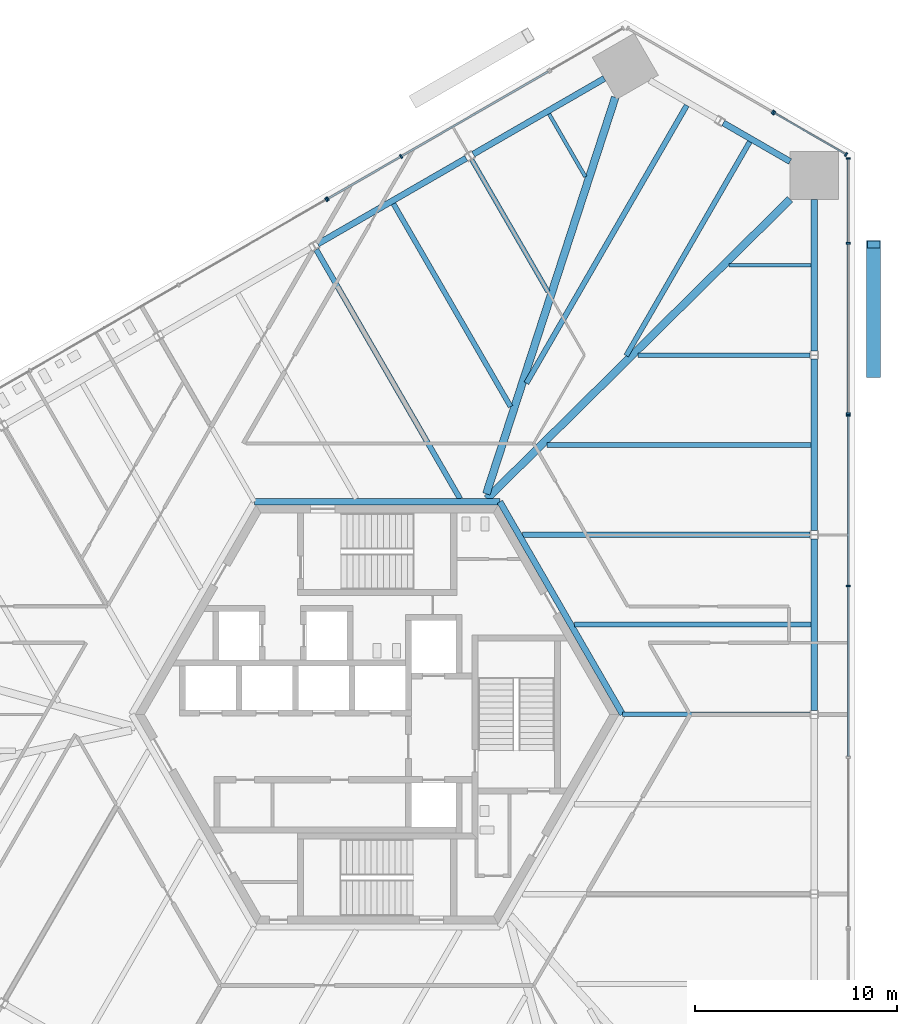
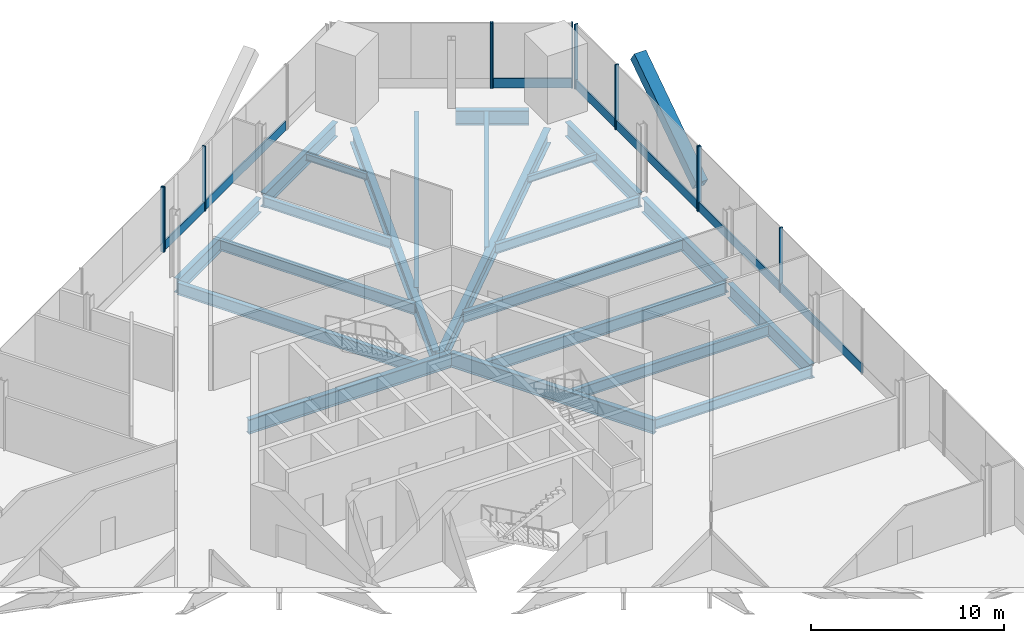
# One storey, part 7 of 17: 22 beams, 19 members, 6 elements without a shape of their own.
"""IFC4 building model written with IfcOpenShell, lengths in metres."""

import ifcopenshell
import ifcopenshell.guid

model = None  # the IFC model being written
_history = None  # IfcOwnerHistory: only IFC2X3 demands one
_inside = {}  # id of a spatial element -> (the spatial element, [elements in it])
_under = {}  # id of a project, library or spatial element -> (it, [spatial elements below it])
_declared = {}  # id of a project -> (the project, [libraries it declares])
_typed = {}  # id of a type object -> (the type object, [elements of that type])
_made_of = {}  # id of a material, layer set ... -> (it, [elements and type objects made of it])


def new_model(schema):
    """Start an empty IFC model of exactly this schema.

    Asked for "IFC4X3", IfcOpenShell would pick the latest addendum, in which some entities
    have other attributes; the version numbers below select the first issue.
    IFC2X3 requires an IfcOwnerHistory on every rooted entity: one is made here for all.
    """
    global model, _history
    if schema == "IFC4X3":
        model = ifcopenshell.file(schema_version=(4, 3, 0, 0))
    else:
        model = ifcopenshell.file(schema=schema)
    _inside.clear()
    _under.clear()
    _declared.clear()
    _typed.clear()
    _made_of.clear()
    _history = None
    if model.schema == "IFC2X3":
        org = make("IfcOrganization", Name="unknown")
        user = make(
            "IfcPersonAndOrganization",
            ThePerson=make("IfcPerson", FamilyName="unknown"),
            TheOrganization=org,
        )
        app = make(
            "IfcApplication",
            ApplicationDeveloper=org,
            Version="unknown",
            ApplicationFullName="unknown",
            ApplicationIdentifier="unknown",
        )
        _history = make(
            "IfcOwnerHistory",
            OwningUser=user,
            OwningApplication=app,
            ChangeAction="ADDED",
            CreationDate=0,
        )
    return model


def make(cls, **values):
    """One entity of the class cls with the attributes given. An attribute that is None is left unset."""
    return model.create_entity(
        cls, **{name: value for name, value in values.items() if value is not None}
    )


def rooted(cls, **values):
    """An entity with a GlobalId (a new one), such as an element, a storey or a relation."""
    return make(cls, GlobalId=ifcopenshell.guid.new(), OwnerHistory=_history, **values)


def si_unit(unit_type, name, prefix=None):
    """IfcSIUnit, for example si_unit("LENGTHUNIT", "METRE", prefix="MILLI")."""
    return make("IfcSIUnit", UnitType=unit_type, Prefix=prefix, Name=name)


def assignment(units):
    """IfcUnitAssignment: the units of a project."""
    return None if units is None else make("IfcUnitAssignment", Units=units)


def point(xyz):
    """IfcCartesianPoint."""
    return None if xyz is None else make("IfcCartesianPoint", Coordinates=xyz)


def direction(xyz):
    """IfcDirection."""
    return None if xyz is None else make("IfcDirection", DirectionRatios=xyz)


def frame(location, z_axis=None, x_axis=None):
    """IfcAxis2Placement3D, a coordinate frame: its origin and axes. An axis left out is left unset."""
    return make(
        "IfcAxis2Placement3D",
        Location=point(location),
        Axis=direction(z_axis),
        RefDirection=direction(x_axis),
    )


def frame_2d(location, x_axis=None):
    """IfcAxis2Placement2D, a coordinate frame in the plane: its origin and x axis."""
    return make(
        "IfcAxis2Placement2D", Location=point(location), RefDirection=direction(x_axis)
    )


def origin():
    """The frame at (0, 0, 0) with its axes left unset."""
    return frame((0.0, 0.0, 0.0))


def origin_2d():
    """The frame at (0, 0) in the plane with its x axis left unset."""
    return frame_2d((0.0, 0.0))


def place(relative_to, where):
    """IfcLocalPlacement: puts the frame where relative to a parent placement (None: the world)."""
    return make(
        "IfcLocalPlacement", PlacementRelTo=relative_to, RelativePlacement=where
    )


def context(
    kind, dimensions, precision=None, world=None, true_north=None, identifier=None
):
    """IfcGeometricRepresentationContext, for example the 3D "Model" context."""
    return make(
        "IfcGeometricRepresentationContext",
        ContextIdentifier=identifier,
        ContextType=kind,
        CoordinateSpaceDimension=dimensions,
        Precision=precision,
        WorldCoordinateSystem=world,
        TrueNorth=true_north,
    )


def subcontext(parent, identifier, kind, view, scale=None):
    """IfcGeometricRepresentationSubContext, for example "Body" below "Model"."""
    return make(
        "IfcGeometricRepresentationSubContext",
        ContextIdentifier=identifier,
        ContextType=kind,
        ParentContext=parent,
        TargetScale=scale,
        TargetView=view,
    )


def project(units=None, contexts=None):
    """IfcProject with its units and contexts."""
    return rooted(
        "IfcProject",
        Name="project",
        RepresentationContexts=contexts,
        UnitsInContext=assignment(units),
    )


def spatial(cls, under=None, at=None, **own):
    """A site, building, storey or space (cls), placed at a placement, below another one or the project."""
    s = rooted(cls, ObjectPlacement=at, **own)
    if under is not None:
        _under.setdefault(under.id(), (under, []))[1].append(s)
    return s


def profile(cls, at=None, kind="AREA", **sizes):
    """A parametric profile (cls). Its sizes go by their IFC names, for example OverallWidth=200.0."""
    return make(cls, ProfileType=kind, Position=at, **sizes)


def rectangle(**sizes):
    """IfcRectangleProfileDef."""
    return profile("IfcRectangleProfileDef", **sizes)


def hollow_rectangle(**sizes):
    """IfcRectangleHollowProfileDef."""
    return profile("IfcRectangleHollowProfileDef", **sizes)


def i_section(**sizes):
    """IfcIShapeProfileDef."""
    return profile("IfcIShapeProfileDef", **sizes)


def extrude(swept, where, along, depth):
    """IfcExtrudedAreaSolid: the profile swept, set in the frame where, extruded along a direction by depth."""
    return make(
        "IfcExtrudedAreaSolid",
        SweptArea=swept,
        Position=where,
        ExtrudedDirection=direction(along),
        Depth=depth,
    )


def shape(context_of_items, identifier, shape_type, items):
    """IfcShapeRepresentation: the items that make up one representation, for example the "Body"."""
    return make(
        "IfcShapeRepresentation",
        ContextOfItems=context_of_items,
        RepresentationIdentifier=identifier,
        RepresentationType=shape_type,
        Items=items,
    )


def source(mapping_origin, context_of_items, identifier, shape_type, items):
    """IfcRepresentationMap: a shape defined once, which mapped items show again and again."""
    return make(
        "IfcRepresentationMap",
        MappingOrigin=mapping_origin,
        MappedRepresentation=shape(context_of_items, identifier, shape_type, items),
    )


def transform(
    local_origin,
    x_axis=None,
    y_axis=None,
    z_axis=None,
    scale=None,
    scale2=None,
    scale3=None,
    uniform=True,
):
    """IfcCartesianTransformationOperator3D, or its non-uniform kind. x_axis, y_axis, z_axis: its Axis1, 2, 3."""
    if uniform:
        return make(
            "IfcCartesianTransformationOperator3D",
            Axis1=direction(x_axis),
            Axis2=direction(y_axis),
            LocalOrigin=point(local_origin),
            Scale=scale,
            Axis3=direction(z_axis),
        )
    return make(
        "IfcCartesianTransformationOperator3DnonUniform",
        Axis1=direction(x_axis),
        Axis2=direction(y_axis),
        LocalOrigin=point(local_origin),
        Scale=scale,
        Axis3=direction(z_axis),
        Scale2=scale2,
        Scale3=scale3,
    )


def mapped(mapping_source, mapping_target):
    """IfcMappedItem: shows the shape of a source again, moved by a transform."""
    return make(
        "IfcMappedItem", MappingSource=mapping_source, MappingTarget=mapping_target
    )


def material(Name=None, Category=None):
    """IfcMaterial."""
    return make("IfcMaterial", Name=Name, Category=Category)


def material_profile(
    of_material, cross_section, Name=None, Category=None, Priority=None
):
    """IfcMaterialProfile: a cross section and its material."""
    return make(
        "IfcMaterialProfile",
        Name=Name,
        Material=of_material,
        Profile=cross_section,
        Priority=Priority,
        Category=Category,
    )


def profile_set(profiles, Name=None, composite=None):
    """IfcMaterialProfileSet."""
    return make(
        "IfcMaterialProfileSet",
        Name=Name,
        MaterialProfiles=profiles,
        CompositeProfile=composite,
    )


def made_of(thing, what):
    """Note that an element or type object is made of a material, layer set ...; save() writes the relation."""
    if what is not None:
        _made_of.setdefault(what.id(), (what, []))[1].append(thing)
    return thing


def type_object(cls, material=None, **own):
    """A type object (cls), such as IfcWallType, which elements share."""
    return made_of(rooted(cls, **own), material)


def element(
    cls,
    number,
    at=None,
    inside=None,
    cuts=None,
    type_object=None,
    material=None,
    context=None,
    identifier="Body",
    shape_type=None,
    held_by="IfcProductDefinitionShape",
    body=None,
    shapes=None,
    **own,
):
    """One element of the class cls, such as IfcWall. Its Tag is "e" and its number.

    at: its placement. inside: the storey or other place that contains it. cuts: it is an
    opening in that element (IfcRelVoidsElement). A single representation is given by context,
    identifier, shape_type and body (its items); several are given by shapes. held_by: the class
    of the entity that holds the representations. save() writes the other relations.
    """
    e = rooted(cls, Tag="e%d" % number, ObjectPlacement=at, **own)
    if body is not None:
        shapes = [shape(context, identifier, shape_type, body)]
    if shapes is not None:
        e.Representation = make(held_by, Representations=shapes)
    if inside is not None:
        _inside.setdefault(inside.id(), (inside, []))[1].append(e)
    if cuts is not None:
        rooted(
            "IfcRelVoidsElement", RelatingBuildingElement=cuts, RelatedOpeningElement=e
        )
    if type_object is not None:
        _typed.setdefault(type_object.id(), (type_object, []))[1].append(e)
    return made_of(e, material)


def aggregate(whole, parts):
    """IfcRelAggregates: a whole, such as a stair, and the parts it consists of."""
    return rooted("IfcRelAggregates", RelatingObject=whole, RelatedObjects=parts)


def save(model, path):
    """Write the relations noted so far, then the file.

    IfcRelAggregates (storeys below a building ...), IfcRelContainedInSpatialStructure (elements
    in a storey), IfcRelDefinesByType, IfcRelAssociatesMaterial and IfcRelDeclares: one each for
    every whole, place, type object, material and project.
    """
    for whole, parts in _under.values():
        aggregate(whole, parts)
    for where, things in _inside.values():
        rooted(
            "IfcRelContainedInSpatialStructure",
            RelatedElements=things,
            RelatingStructure=where,
        )
    for kind, things in _typed.values():
        rooted("IfcRelDefinesByType", RelatedObjects=things, RelatingType=kind)
    for what, things in _made_of.values():
        rooted("IfcRelAssociatesMaterial", RelatedObjects=things, RelatingMaterial=what)
    for by, libraries in _declared.values():
        rooted("IfcRelDeclares", RelatingContext=by, RelatedDefinitions=libraries)
    model.write(path)


model = new_model("IFC4")

# Units and contexts
model_context = context("Model", 3, precision=1e-05, world=origin(), true_north=direction((0.0, 1.0)))
body_context = subcontext(model_context, "Body", "Model", "MODEL_VIEW")
ifc_project = project(units=[si_unit("LENGTHUNIT", "METRE"), si_unit("AREAUNIT", "SQUARE_METRE"), si_unit("VOLUMEUNIT", "CUBIC_METRE"), si_unit("PLANEANGLEUNIT", "RADIAN"), si_unit("MASSUNIT", "GRAM", prefix="KILO")], contexts=[model_context])

# Site, building, storey
site_placement = place(None, origin())
site = spatial("IfcSite", under=ifc_project, at=site_placement, CompositionType="ELEMENT")
building_placement = place(site_placement, origin())
building = spatial("IfcBuilding", under=site, at=building_placement, Name="Triune Harvest Tower", CompositionType="ELEMENT")
storey_placement = place(building_placement, frame((0.0, 0.0, 46.10009765625)))
storey = spatial("IfcBuildingStorey", under=building, at=storey_placement, Name="L10", CompositionType="ELEMENT", Elevation=46.10009765625)

# Beams
ifc_material_1 = material(Name="Steel ASTM A992 Gr 50", Category="steel")
ifc_material_profile_1 = material_profile(ifc_material_1, i_section(OverallWidth=0.3046875, OverallDepth=0.914306640625, WebThickness=0.0166015625, FlangeThickness=0.02587890625, at=origin_2d()), Name="W36x160")
ifc_profile_set_1 = profile_set([ifc_material_profile_1], Name="Steel ASTM A992 Gr 50")
beam_type_1 = type_object("IfcBeamType", Name="CG-1 Core ring girder W36x160", PredefinedType="BEAM", material=ifc_profile_set_1)
shared_shape_1 = source(origin(), body_context, "Body", "SweptSolid", [
    extrude(i_section(OverallWidth=0.3046875, OverallDepth=0.914306640625, WebThickness=0.0166015625, FlangeThickness=0.02587890625, at=origin_2d()), origin(), (0.0, 0.0, 1.0), 12.176025390625),
])
beam_1_placement = place(storey_placement, frame((12.176025390625, 0.0, -0.6572265625), z_axis=(-0.5000099932, 0.866019634131, 0.0), x_axis=(-0.866019634131, -0.5000099932, 0.0)))
element("IfcBeam", 1, at=beam_1_placement, inside=storey, type_object=beam_type_1, Name="beam/L10/CG1", PredefinedType="BEAM", context=body_context, shape_type="MappedRepresentation", body=[
    mapped(shared_shape_1, transform((0.0, 0.0, 0.0), scale=1.0)),
])
shared_shape_2 = source(origin(), body_context, "Body", "SweptSolid", [
    extrude(i_section(OverallWidth=0.3046875, OverallDepth=0.914306640625, WebThickness=0.0166015625, FlangeThickness=0.02587890625, at=origin_2d()), origin(), (0.0, 0.0, 1.0), 12.17578125),
])
beam_2_placement = place(storey_placement, frame((6.087890625, 10.544677734375, -0.6572265625), z_axis=(-1.0, 0.0, 0.0), x_axis=(0.0, -1.0, 0.0)))
element("IfcBeam", 2, at=beam_2_placement, inside=storey, type_object=beam_type_1, Name="beam/L10/CG2", PredefinedType="BEAM", context=body_context, shape_type="MappedRepresentation", body=[
    mapped(shared_shape_2, transform((0.0, 0.0, 0.0), scale=1.0)),
])
ifc_material_2 = material(Name="Steel ASTM A992 Gr 50", Category="steel")
ifc_material_profile_2 = material_profile(ifc_material_2, i_section(OverallWidth=0.383544921875, OverallDepth=0.9423828125, WebThickness=0.022216796875, FlangeThickness=0.039794921875, at=origin_2d()), Name="W36x232")
ifc_profile_set_2 = profile_set([ifc_material_profile_2], Name="Steel ASTM A992 Gr 50")
beam_type_2 = type_object("IfcBeamType", Name="HG-1 Hip girder W36x232", PredefinedType="BEAM", material=ifc_profile_set_2)
shared_shape_3 = source(origin(), body_context, "Body", "SweptSolid", [
    extrude(i_section(OverallWidth=0.383544921875, OverallDepth=0.9423828125, WebThickness=0.022216796875, FlangeThickness=0.039794921875, at=origin_2d()), origin(), (0.0, 0.0, 1.0), 21.132568359375),
])
beam_3_placement = place(storey_placement, frame((20.4794921875, 25.545166015625, -0.67138671875), z_axis=(-0.711563602244, -0.7026216905, 0.0), x_axis=(0.7026216905, -0.711563602244, 0.0)))
element("IfcBeam", 3, at=beam_3_placement, inside=storey, type_object=beam_type_2, Name="beam/L10/HG2", PredefinedType="BEAM", context=body_context, shape_type="MappedRepresentation", body=[
    mapped(shared_shape_3, transform((0.0, 0.0, 0.0), scale=1.0)),
])
shared_shape_4 = source(origin(), body_context, "Body", "SweptSolid", [
    extrude(i_section(OverallWidth=0.383544921875, OverallDepth=0.9423828125, WebThickness=0.022216796875, FlangeThickness=0.039794921875, at=origin_2d()), origin(), (0.0, 0.0, 1.0), 20.676025390625),
])
beam_4_placement = place(storey_placement, frame((11.809814453125, 30.6044921875, -0.67138671875), z_axis=(-0.309191000288, -0.950999960747, 0.0), x_axis=(0.950999960747, -0.309191000288, 0.0)))
element("IfcBeam", 4, at=beam_4_placement, inside=storey, type_object=beam_type_2, Name="beam/L10/HG3", PredefinedType="BEAM", context=body_context, shape_type="MappedRepresentation", body=[
    mapped(shared_shape_4, transform((0.0, 0.0, 0.0), scale=1.0)),
])
ifc_material_3 = material(Name="Steel ASTM A992 Gr 50", Category="steel")
ifc_material_profile_3 = material_profile(ifc_material_3, i_section(OverallWidth=0.2666015625, OverallDepth=0.7568359375, WebThickness=0.013916015625, FlangeThickness=0.019287109375, at=origin_2d()), Name="W30x108")
ifc_profile_set_3 = profile_set([ifc_material_profile_3], Name="Steel ASTM A992 Gr 50")
beam_type_3 = type_object("IfcBeamType", Name="JT-5 Floor joist W30x108", PredefinedType="JOIST", material=ifc_profile_set_3)
shared_shape_5 = source(origin(), body_context, "Body", "SweptSolid", [
    extrude(i_section(OverallWidth=0.2666015625, OverallDepth=0.7568359375, WebThickness=0.013916015625, FlangeThickness=0.019287109375, at=origin_2d()), origin(), (0.0, 0.0, 1.0), 14.2685546875),
])
for number, where, z_axis, x_axis, name in (
    (5, (21.476318359375, 8.909912109375, -0.57861328125), (-1.0, 0.0, 0.0), (0.0, -1.0, 0.0), "beam/L10/JT8"),
    (6, (-3.02197265625, 23.053955078125, -0.57861328125), (0.499999916269, -0.866025452127, 0.0), (0.866025452127, 0.499999916269, 0.0), "beam/L10/JT17"),
):
    element("IfcBeam", number, at=place(storey_placement, frame(where, z_axis=z_axis, x_axis=x_axis)), inside=storey, type_object=beam_type_3, Name=name, PredefinedType="JOIST", context=body_context, shape_type="MappedRepresentation", body=[
        mapped(shared_shape_5, transform((0.0, 0.0, 0.0), scale=1.0)),
    ])
ifc_material_4 = material(Name="Steel ASTM A992 Gr 50", Category="steel")
ifc_material_profile_4 = material_profile(ifc_material_4, i_section(OverallWidth=0.22900390625, OverallDepth=0.612060546875, WebThickness=0.011962890625, FlangeThickness=0.01953125, at=origin_2d()), Name="W24x84")
ifc_profile_set_4 = profile_set([ifc_material_profile_4], Name="Steel ASTM A992 Gr 50")
beam_type_4 = type_object("IfcBeamType", Name="JT-3 Floor joist W24x84", PredefinedType="JOIST", material=ifc_profile_set_4)
shared_shape_6 = source(origin(), body_context, "Body", "SweptSolid", [
    extrude(i_section(OverallWidth=0.22900390625, OverallDepth=0.612060546875, WebThickness=0.011962890625, FlangeThickness=0.01953125, at=origin_2d()), origin(), (0.0, 0.0, 1.0), 9.30029296875),
])
beam_5_placement = place(storey_placement, frame((21.476318359375, 0.0, -0.506103515625), z_axis=(-1.0, 0.0, 0.0), x_axis=(0.0, -1.0, 0.0)))
element("IfcBeam", 7, at=beam_5_placement, inside=storey, type_object=beam_type_4, Name="beam/L10/JT6", PredefinedType="JOIST", context=body_context, shape_type="MappedRepresentation", body=[
    mapped(shared_shape_6, transform((0.0, 0.0, 0.0), scale=1.0)),
])
shared_shape_7 = source(origin(), body_context, "Body", "SweptSolid", [
    extrude(i_section(OverallWidth=0.22900390625, OverallDepth=0.612060546875, WebThickness=0.011962890625, FlangeThickness=0.01953125, at=origin_2d()), origin(), (0.0, 0.0, 1.0), 8.54736328125),
])
beam_6_placement = place(storey_placement, frame((21.476318359375, 17.820068359375, -0.506103515625), z_axis=(-1.0, 0.0, 0.0), x_axis=(0.0, -1.0, 0.0)))
element("IfcBeam", 8, at=beam_6_placement, inside=storey, type_object=beam_type_4, Name="beam/L10/JT10", PredefinedType="JOIST", context=body_context, shape_type="MappedRepresentation", body=[
    mapped(shared_shape_7, transform((0.0, 0.0, 0.0), scale=1.0)),
])
shared_shape_8 = source(origin(), body_context, "Body", "SweptSolid", [
    extrude(i_section(OverallWidth=0.22900390625, OverallDepth=0.612060546875, WebThickness=0.011962890625, FlangeThickness=0.01953125, at=origin_2d()), origin(), (0.0, 0.0, 1.0), 7.55859375),
])
beam_7_placement = place(storey_placement, frame((4.6943359375, 27.509033203125, -0.506103515625), z_axis=(0.500002049001, -0.86602422079, 0.0), x_axis=(0.86602422079, 0.500002049001, 0.0)))
element("IfcBeam", 9, at=beam_7_placement, inside=storey, type_object=beam_type_4, Name="beam/L10/JT15", PredefinedType="JOIST", context=body_context, shape_type="MappedRepresentation", body=[
    mapped(shared_shape_8, transform((0.0, 0.0, 0.0), scale=1.0)),
])
ifc_material_5 = material(Name="Steel ASTM A992 Gr 50", Category="steel")
ifc_material_profile_5 = material_profile(ifc_material_5, i_section(OverallWidth=0.3046875, OverallDepth=0.914306640625, WebThickness=0.0166015625, FlangeThickness=0.02587890625, at=origin_2d()), Name="W36x160")
ifc_profile_set_5 = profile_set([ifc_material_profile_5], Name="Steel ASTM A992 Gr 50")
beam_type_5 = type_object("IfcBeamType", Name="SB-1 Spandrel beam W36x160", PredefinedType="SPANDREL", material=ifc_profile_set_5)
shared_shape_9 = source(origin(), body_context, "Body", "SweptSolid", [
    extrude(i_section(OverallWidth=0.3046875, OverallDepth=0.914306640625, WebThickness=0.0166015625, FlangeThickness=0.02587890625, at=origin_2d()), origin(), (0.0, 0.0, 1.0), 7.508056640625),
])
beam_8_placement = place(storey_placement, frame((21.679443359375, 18.02197265625, -0.6572265625), z_axis=(0.0, 1.0, 0.0), x_axis=(-1.0, 0.0, 0.0)))
element("IfcBeam", 10, at=beam_8_placement, inside=storey, type_object=beam_type_5, Name="beam/L10/SB6", PredefinedType="SPANDREL", context=body_context, shape_type="MappedRepresentation", body=[
    mapped(shared_shape_9, transform((0.0, 0.0, 0.0), scale=1.0)),
])
shared_shape_10 = source(origin(), body_context, "Body", "SweptSolid", [
    extrude(i_section(OverallWidth=0.3046875, OverallDepth=0.914306640625, WebThickness=0.0166015625, FlangeThickness=0.02587890625, at=origin_2d()), origin(), (0.0, 0.0, 1.0), 8.50634765625),
])
beam_9_placement = place(storey_placement, frame((21.679443359375, 9.11181640625, -0.6572265625), z_axis=(0.0, 1.0, 0.0), x_axis=(-1.0, 0.0, 0.0)))
element("IfcBeam", 11, at=beam_9_placement, inside=storey, type_object=beam_type_5, Name="beam/L10/SB5", PredefinedType="SPANDREL", context=body_context, shape_type="MappedRepresentation", body=[
    mapped(shared_shape_10, transform((0.0, 0.0, 0.0), scale=1.0)),
])
shared_shape_11 = source(origin(), body_context, "Body", "SweptSolid", [
    extrude(i_section(OverallWidth=0.3046875, OverallDepth=0.914306640625, WebThickness=0.0166015625, FlangeThickness=0.02587890625, at=origin_2d()), origin(), (0.0, 0.0, 1.0), 8.506103515625),
])
for number, where, z_axis, x_axis, name in (
    (12, (21.679443359375, 0.201904296875, -0.6572265625), (0.0, 1.0, 0.0), (-1.0, 0.0, 0.0), "beam/L10/SB4"),
    (13, (4.41796875, 27.583984375, -0.6572265625), (-0.866030246746, -0.49999161165, 0.0), (0.49999161165, -0.866030246746, 0.0), "beam/L10/SB10"),
):
    element("IfcBeam", number, at=place(storey_placement, frame(where, z_axis=z_axis, x_axis=x_axis)), inside=storey, type_object=beam_type_5, Name=name, PredefinedType="SPANDREL", context=body_context, shape_type="MappedRepresentation", body=[
        mapped(shared_shape_11, transform((0.0, 0.0, 0.0), scale=1.0)),
    ])
shared_shape_12 = source(origin(), body_context, "Body", "SweptSolid", [
    extrude(i_section(OverallWidth=0.3046875, OverallDepth=0.914306640625, WebThickness=0.0166015625, FlangeThickness=0.02587890625, at=origin_2d()), origin(), (0.0, 0.0, 1.0), 3.822265625),
])
beam_10_placement = place(storey_placement, frame((20.4794921875, 27.4228515625, -0.6572265625), z_axis=(-0.866033487859, 0.499985997711, 0.0), x_axis=(-0.499985997711, -0.866033487859, 0.0)))
element("IfcBeam", 14, at=beam_10_placement, inside=storey, type_object=beam_type_5, Name="beam/L10/SB7", PredefinedType="SPANDREL", context=body_context, shape_type="MappedRepresentation", body=[
    mapped(shared_shape_12, transform((0.0, 0.0, 0.0), scale=1.0)),
])
shared_shape_13 = source(origin(), body_context, "Body", "SweptSolid", [
    extrude(i_section(OverallWidth=0.3046875, OverallDepth=0.914306640625, WebThickness=0.0166015625, FlangeThickness=0.02587890625, at=origin_2d()), origin(), (0.0, 0.0, 1.0), 7.50830078125),
])
beam_11_placement = place(storey_placement, frame((11.27001953125, 31.5400390625, -0.6572265625), z_axis=(-0.866027474485, -0.499996413425, 0.0), x_axis=(0.499996413425, -0.866027474485, 0.0)))
element("IfcBeam", 15, at=beam_11_placement, inside=storey, type_object=beam_type_5, Name="beam/L10/SB9", PredefinedType="SPANDREL", context=body_context, shape_type="MappedRepresentation", body=[
    mapped(shared_shape_13, transform((0.0, 0.0, 0.0), scale=1.0)),
])
ifc_material_6 = material(Name="Steel ASTM A992 Gr 50", Category="steel")
ifc_material_profile_6 = material_profile(ifc_material_6, i_section(OverallWidth=0.180908203125, OverallDepth=0.41650390625, WebThickness=0.010986328125, FlangeThickness=0.01806640625, at=origin_2d()), Name="W16x57")
ifc_profile_set_6 = profile_set([ifc_material_profile_6], Name="Steel ASTM A992 Gr 50")
beam_type_6 = type_object("IfcBeamType", Name="JT-1 Floor joist W16x57", PredefinedType="JOIST", material=ifc_profile_set_6)
shared_shape_14 = source(origin(), body_context, "Body", "SweptSolid", [
    extrude(i_section(OverallWidth=0.180908203125, OverallDepth=0.41650390625, WebThickness=0.010986328125, FlangeThickness=0.01806640625, at=origin_2d()), origin(), (0.0, 0.0, 1.0), 3.599365234375),
])
beam_12_placement = place(storey_placement, frame((8.527099609375, 29.780517578125, -0.408447265625), z_axis=(0.50001992892, -0.866013897511, 0.0), x_axis=(0.866013897511, 0.50001992892, 0.0)))
element("IfcBeam", 16, at=beam_12_placement, inside=storey, type_object=beam_type_6, Name="beam/L10/JT14", PredefinedType="JOIST", context=body_context, shape_type="MappedRepresentation", body=[
    mapped(shared_shape_14, transform((0.0, 0.0, 0.0), scale=1.0)),
])
ifc_material_7 = material(Name="Steel ASTM A992 Gr 50", Category="steel")
ifc_material_profile_7 = material_profile(ifc_material_7, i_section(OverallWidth=0.253662109375, OverallDepth=0.683349609375, WebThickness=0.012451171875, FlangeThickness=0.01904296875, at=origin_2d()), Name="W27x94")
ifc_profile_set_7 = profile_set([ifc_material_profile_7], Name="Steel ASTM A992 Gr 50")
beam_type_7 = type_object("IfcBeamType", Name="JT-4 Floor joist W27x94", PredefinedType="JOIST", material=ifc_profile_set_7)
shared_shape_15 = source(origin(), body_context, "Body", "SweptSolid", [
    extrude(i_section(OverallWidth=0.253662109375, OverallDepth=0.683349609375, WebThickness=0.012451171875, FlangeThickness=0.01904296875, at=origin_2d()), origin(), (0.0, 0.0, 1.0), 11.747314453125),
])
beam_13_placement = place(storey_placement, frame((21.527099609375, 4.455078125, -0.541748046875), z_axis=(-1.0, 0.0, 0.0), x_axis=(0.0, -1.0, 0.0)))
element("IfcBeam", 17, at=beam_13_placement, inside=storey, type_object=beam_type_7, Name="beam/L10/JT7", PredefinedType="JOIST", context=body_context, shape_type="MappedRepresentation", body=[
    mapped(shared_shape_15, transform((0.0, 0.0, 0.0), scale=1.0)),
])
shared_shape_16 = source(origin(), body_context, "Body", "SweptSolid", [
    extrude(i_section(OverallWidth=0.253662109375, OverallDepth=0.683349609375, WebThickness=0.012451171875, FlangeThickness=0.01904296875, at=origin_2d()), origin(), (0.0, 0.0, 1.0), 13.110107421875),
])
beam_14_placement = place(storey_placement, frame((21.527099609375, 13.364990234375, -0.541748046875), z_axis=(-1.0, 0.0, 0.0), x_axis=(0.0, -1.0, 0.0)))
element("IfcBeam", 18, at=beam_14_placement, inside=storey, type_object=beam_type_7, Name="beam/L10/JT9", PredefinedType="JOIST", context=body_context, shape_type="MappedRepresentation", body=[
    mapped(shared_shape_16, transform((0.0, 0.0, 0.0), scale=1.0)),
])
shared_shape_17 = source(origin(), body_context, "Body", "SweptSolid", [
    extrude(i_section(OverallWidth=0.180908203125, OverallDepth=0.41650390625, WebThickness=0.010986328125, FlangeThickness=0.01806640625, at=origin_2d()), origin(), (0.0, 0.0, 1.0), 4.08642578125),
])
beam_15_placement = place(storey_placement, frame((21.527099609375, 22.27490234375, -0.408447265625), z_axis=(-1.0, 0.0, 0.0), x_axis=(0.0, -1.0, 0.0)))
element("IfcBeam", 19, at=beam_15_placement, inside=storey, type_object=beam_type_6, Name="beam/L10/JT11", PredefinedType="JOIST", context=body_context, shape_type="MappedRepresentation", body=[
    mapped(shared_shape_17, transform((0.0, 0.0, 0.0), scale=1.0)),
])
shared_shape_18 = source(origin(), body_context, "Body", "SweptSolid", [
    extrude(i_section(OverallWidth=0.253662109375, OverallDepth=0.683349609375, WebThickness=0.012451171875, FlangeThickness=0.01904296875, at=origin_2d()), origin(), (0.0, 0.0, 1.0), 12.2509765625),
])
beam_16_placement = place(storey_placement, frame((18.479736328125, 28.4013671875, -0.541748046875), z_axis=(-0.500001335473, -0.866024632748, 0.0), x_axis=(0.866024632748, -0.500001335473, 0.0)))
element("IfcBeam", 20, at=beam_16_placement, inside=storey, type_object=beam_type_7, Name="beam/L10/JT12", PredefinedType="JOIST", context=body_context, shape_type="MappedRepresentation", body=[
    mapped(shared_shape_18, transform((0.0, 0.0, 0.0), scale=1.0)),
])
shared_shape_19 = source(origin(), body_context, "Body", "SweptSolid", [
    extrude(i_section(OverallWidth=0.2666015625, OverallDepth=0.7568359375, WebThickness=0.013916015625, FlangeThickness=0.019287109375, at=origin_2d()), origin(), (0.0, 0.0, 1.0), 15.90771484375),
])
beam_17_placement = place(storey_placement, frame((15.3564453125, 30.20458984375, -0.57861328125), z_axis=(-0.500003211559, -0.866023549582, 0.0), x_axis=(0.866023549582, -0.500003211559, 0.0)))
element("IfcBeam", 21, at=beam_17_placement, inside=storey, type_object=beam_type_3, Name="beam/L10/JT13", PredefinedType="JOIST", context=body_context, shape_type="MappedRepresentation", body=[
    mapped(shared_shape_19, transform((0.0, 0.0, 0.0), scale=1.0)),
])
shared_shape_20 = source(origin(), body_context, "Body", "SweptSolid", [
    extrude(i_section(OverallWidth=0.253662109375, OverallDepth=0.683349609375, WebThickness=0.012451171875, FlangeThickness=0.01904296875, at=origin_2d()), origin(), (0.0, 0.0, 1.0), 11.618896484375),
])
beam_18_placement = place(storey_placement, frame((0.810791015625, 25.325439453125, -0.541748046875), z_axis=(0.500008015982, -0.866020775706, 0.0), x_axis=(0.866020775706, 0.500008015982, 0.0)))
element("IfcBeam", 22, at=beam_18_placement, inside=storey, type_object=beam_type_7, Name="beam/L10/JT16", PredefinedType="JOIST", context=body_context, shape_type="MappedRepresentation", body=[
    mapped(shared_shape_20, transform((0.0, 0.0, 0.0), scale=1.0)),
])

# Member
ifc_material_8 = material(Name="Steel ASTM A572 Gr 50", Category="steel")
ifc_material_profile_8 = material_profile(ifc_material_8, hollow_rectangle(XDim=0.699951171875, YDim=0.699951171875, WallThickness=0.0400390625, at=origin_2d()), Name="Box 700x700x40")
ifc_profile_set_8 = profile_set([ifc_material_profile_8], Name="Steel ASTM A572 Gr 50")
member_type_1 = type_object("IfcMemberType", Name="BR-1 Brace Box 700x700x40", PredefinedType="BRACE", material=ifc_profile_set_8)
shared_shape_21 = source(origin(), body_context, "Body", "SweptSolid", [
    extrude(hollow_rectangle(XDim=0.699951171875, YDim=0.699951171875, WallThickness=0.0400390625, at=origin_2d()), origin(), (0.0, 0.0, 1.0), 7.728271484375),
])
member_1_placement = place(storey_placement, frame((24.621337890625, 16.893798828125, 0.0), z_axis=(0.0, 0.830930779291, 0.556375808268), x_axis=(-1.0, 0.0, 0.0)))
element("IfcMember", 23, at=member_1_placement, inside=storey, type_object=member_type_1, Name="brace/B1-F1/d1/8", PredefinedType="BRACE", context=body_context, shape_type="MappedRepresentation", body=[
    mapped(shared_shape_21, transform((0.0, 0.0, 0.0), scale=1.0)),
])

# Curtain wall, members
ifc_material_9 = material(Name="Aluminium bronze anodised", Category="aluminium")
curtain_wall_type_1 = type_object("IfcCurtainWallType", Name="CW-3 Farm floor curtain wall", PredefinedType="NOTDEFINED", material=ifc_material_9)
curtain_wall_1_placement = place(storey_placement, origin())
curtain_wall_1 = element("IfcCurtainWall", 24, at=curtain_wall_1_placement, inside=storey, type_object=curtain_wall_type_1, Name="CW-3 B1-F1 L10 run 1001")
ifc_material_10 = material(Name="Aluminium bronze anodised", Category="aluminium")
ifc_material_profile_9 = material_profile(ifc_material_10, rectangle(XDim=0.199951171875, YDim=0.080078125, at=origin_2d()), Name="MU-3 mullion 80 x 200")
ifc_profile_set_9 = profile_set([ifc_material_profile_9], Name="Aluminium bronze anodised")
member_type_2 = type_object("IfcMemberType", Name="MU-3 mullion 80 x 200", PredefinedType="MULLION", material=ifc_profile_set_9)
shared_shape_22 = source(origin(), body_context, "Body", "SweptSolid", [
    extrude(rectangle(XDim=0.199951171875, YDim=0.080078125, at=origin_2d()), origin(), (0.0, 0.0, 1.0), 4.099853515625),
])
member_2_placement = place(storey_placement, frame((23.371337890625, 6.373046875, 0.0), z_axis=(0.0, 0.0, 1.0), x_axis=(-1.0, 0.0, 0.0)))
member_2 = element("IfcMember", 25, at=member_2_placement, type_object=member_type_2, Name="CW-3 mullion B1-F1 1001.5", PredefinedType="MULLION", context=body_context, shape_type="MappedRepresentation", body=[
    mapped(shared_shape_22, transform((0.0, 0.0, 0.0), scale=1.0)),
])
member_3_placement = place(storey_placement, frame((23.371337890625, 14.83056640625, 0.0), z_axis=(0.0, 0.0, 1.0), x_axis=(-1.0, 0.0, 0.0)))
member_3 = element("IfcMember", 26, at=member_3_placement, type_object=member_type_2, Name="CW-3 mullion B1-F1 1001.7", PredefinedType="MULLION", context=body_context, shape_type="MappedRepresentation", body=[
    mapped(shared_shape_22, transform((0.0, 0.0, 0.0), scale=1.0)),
])

ifc_material_11 = material(Name="Aluminium bronze anodised", Category="aluminium")
curtain_wall_type_2 = type_object("IfcCurtainWallType", Name="CW-8 Farm floor curtain wall with insulated spandrel infill", PredefinedType="NOTDEFINED", material=ifc_material_11)
curtain_wall_2_placement = place(storey_placement, origin())
curtain_wall_2 = element("IfcCurtainWall", 27, at=curtain_wall_2_placement, inside=storey, type_object=curtain_wall_type_2, Name="CW-8 B1-F1 L10 run 2001")
member_4_placement = place(storey_placement, frame((23.371337890625, 14.91064453125, 0.0), z_axis=(0.0, 0.0, 1.0), x_axis=(-1.0, 0.0, 0.0)))
member_4 = element("IfcMember", 28, at=member_4_placement, type_object=member_type_2, Name="CW-8 mullion B1-F1 2001.1", PredefinedType="MULLION", context=body_context, shape_type="MappedRepresentation", body=[
    mapped(shared_shape_22, transform((0.0, 0.0, 0.0), scale=1.0)),
])
member_5_placement = place(storey_placement, frame((23.371337890625, 23.3681640625, 0.0), z_axis=(0.0, 0.0, 1.0), x_axis=(-1.0, 0.0, 0.0)))
member_5 = element("IfcMember", 29, at=member_5_placement, type_object=member_type_2, Name="CW-8 mullion B1-F1 2001.3", PredefinedType="MULLION", context=body_context, shape_type="MappedRepresentation", body=[
    mapped(shared_shape_22, transform((0.0, 0.0, 0.0), scale=1.0)),
])
member_6_placement = place(storey_placement, frame((23.371337890625, 27.576904296875, 0.0), z_axis=(0.0, 0.0, 1.0), x_axis=(-1.0, 0.0, 0.0)))
member_6 = element("IfcMember", 30, at=member_6_placement, type_object=member_type_2, Name="CW-8 mullion B1-F1 2001.4", PredefinedType="MULLION", context=body_context, shape_type="MappedRepresentation", body=[
    mapped(shared_shape_22, transform((0.0, 0.0, 0.0), scale=1.0)),
])

curtain_wall_3_placement = place(storey_placement, origin())
curtain_wall_3 = element("IfcCurtainWall", 31, at=curtain_wall_3_placement, inside=storey, type_object=curtain_wall_type_1, Name="CW-3 B1-F2 L10 run 1")
member_7_placement = place(storey_placement, frame((23.2587890625, 27.771728515625, 0.0), z_axis=(0.0, 0.0, 1.0), x_axis=(-0.499994222841, -0.866028739203, 0.0)))
member_7 = element("IfcMember", 32, at=member_7_placement, type_object=member_type_2, Name="CW-3 mullion B1-F2 1.1", PredefinedType="MULLION", context=body_context, shape_type="MappedRepresentation", body=[
    mapped(shared_shape_22, transform((0.0, 0.0, 0.0), scale=1.0)),
])
member_8_placement = place(storey_placement, frame((19.692626953125, 29.830810546875, 0.0), z_axis=(0.0, 0.0, 1.0), x_axis=(-0.499994222841, -0.866028739203, 0.0)))
member_8 = element("IfcMember", 33, at=member_8_placement, type_object=member_type_2, Name="CW-3 mullion B1-F2 1.2", PredefinedType="MULLION", context=body_context, shape_type="MappedRepresentation", body=[
    mapped(shared_shape_22, transform((0.0, 0.0, 0.0), scale=1.0)),
])

# Curtain wall, member
curtain_wall_4_placement = place(storey_placement, origin())
curtain_wall_4 = element("IfcCurtainWall", 34, at=curtain_wall_4_placement, inside=storey, type_object=curtain_wall_type_2, Name="CW-8 B1-F2 L10 run 1001")
member_9_placement = place(storey_placement, frame((19.623291015625, 29.87060546875, 0.0), z_axis=(0.0, 0.0, 1.0), x_axis=(-0.500000961283, -0.866024848787, 0.0)))
member_9 = element("IfcMember", 35, at=member_9_placement, type_object=member_type_2, Name="CW-8 mullion B1-F2 1001.1", PredefinedType="MULLION", context=body_context, shape_type="MappedRepresentation", body=[
    mapped(shared_shape_22, transform((0.0, 0.0, 0.0), scale=1.0)),
])
aggregate(curtain_wall_4, [member_9])

# Curtain wall, members
curtain_wall_5_placement = place(storey_placement, origin())
curtain_wall_5 = element("IfcCurtainWall", 36, at=curtain_wall_5_placement, inside=storey, type_object=curtain_wall_type_2, Name="CW-8 B1-F3 L10 run 1001")
member_10_placement = place(storey_placement, frame((1.192626953125, 27.675537109375, 0.0), z_axis=(0.0, 0.0, 1.0), x_axis=(0.500001121139, -0.866024756493, 0.0)))
member_10 = element("IfcMember", 37, at=member_10_placement, type_object=member_type_2, Name="CW-8 mullion B1-F3 1001.3", PredefinedType="MULLION", context=body_context, shape_type="MappedRepresentation", body=[
    mapped(shared_shape_22, transform((0.0, 0.0, 0.0), scale=1.0)),
])
member_11_placement = place(storey_placement, frame((-2.4521484375, 25.571044921875, 0.0), z_axis=(0.0, 0.0, 1.0), x_axis=(0.500001121139, -0.866024756493, 0.0)))
member_11 = element("IfcMember", 38, at=member_11_placement, type_object=member_type_2, Name="CW-8 mullion B1-F3 1001.4", PredefinedType="MULLION", context=body_context, shape_type="MappedRepresentation", body=[
    mapped(shared_shape_22, transform((0.0, 0.0, 0.0), scale=1.0)),
])

# Curtain wall, member
curtain_wall_6_placement = place(storey_placement, origin())
curtain_wall_6 = element("IfcCurtainWall", 39, at=curtain_wall_6_placement, inside=storey, type_object=curtain_wall_type_1, Name="CW-3 B1-F3 L10 run 2001")
member_12_placement = place(storey_placement, frame((-2.521484375, 25.531005859375, 0.0), z_axis=(0.0, 0.0, 1.0), x_axis=(0.499999422532, -0.866025737186, 0.0)))
member_12 = element("IfcMember", 40, at=member_12_placement, type_object=member_type_2, Name="CW-3 mullion B1-F3 2001.1", PredefinedType="MULLION", context=body_context, shape_type="MappedRepresentation", body=[
    mapped(shared_shape_22, transform((0.0, 0.0, 0.0), scale=1.0)),
])
aggregate(curtain_wall_6, [member_12])

# Member
ifc_material_12 = material(Name="Aluminium bronze anodised", Category="aluminium")
ifc_material_profile_10 = material_profile(ifc_material_12, rectangle(XDim=0.090087890625, YDim=0.60009765625, at=origin_2d()), Name="TR-3 transom 90 x 600")
ifc_profile_set_10 = profile_set([ifc_material_profile_10], Name="Aluminium bronze anodised")
member_type_3 = type_object("IfcMemberType", Name="TR-3 transom 90 x 600", PredefinedType="USERDEFINED", material=ifc_profile_set_10)
shared_shape_23 = source(origin(), body_context, "Body", "SweptSolid", [
    extrude(rectangle(XDim=0.090087890625, YDim=0.60009765625, at=origin_2d()), origin(), (0.0, 0.0, 1.0), 8.37744140625),
])
member_13_placement = place(storey_placement, frame((23.371337890625, 6.4130859375, 0.2998046875), z_axis=(0.0, 1.0, 0.0), x_axis=(-1.0, 0.0, 0.0)))
member_13 = element("IfcMember", 41, at=member_13_placement, type_object=member_type_3, Name="CW-3 transom B1-F1 1001.3", ObjectType="TRANSOM", PredefinedType="USERDEFINED", context=body_context, shape_type="MappedRepresentation", body=[
    mapped(shared_shape_23, transform((0.0, 0.0, 0.0), scale=1.0)),
])

member_14_placement = place(storey_placement, frame((23.371337890625, 14.95068359375, 0.2998046875), z_axis=(0.0, 1.0, 0.0), x_axis=(-1.0, 0.0, 0.0)))
member_14 = element("IfcMember", 42, at=member_14_placement, type_object=member_type_3, Name="CW-8 transom B1-F1 2001.1", ObjectType="TRANSOM", PredefinedType="USERDEFINED", context=body_context, shape_type="MappedRepresentation", body=[
    mapped(shared_shape_23, transform((0.0, 0.0, 0.0), scale=1.0)),
])

member_15_placement = place(storey_placement, frame((8.482421875, 31.88427734375, 0.2998046875), z_axis=(-0.866026892193, -0.499997421992, 0.0), x_axis=(0.499997421992, -0.866026892193, 0.0)))
member_15 = element("IfcMember", 43, at=member_15_placement, type_object=member_type_3, Name="CW-8 transom B1-F3 1001.1", ObjectType="TRANSOM", PredefinedType="USERDEFINED", context=body_context, shape_type="MappedRepresentation", body=[
    mapped(shared_shape_23, transform((0.0, 0.0, 0.0), scale=1.0)),
])

shared_shape_24 = source(origin(), body_context, "Body", "SweptSolid", [
    extrude(rectangle(XDim=0.090087890625, YDim=0.60009765625, at=origin_2d()), origin(), (0.0, 0.0, 1.0), 8.41748046875),
])
member_16_placement = place(storey_placement, frame((23.371337890625, -2.084228515625, 0.2998046875), z_axis=(0.0, 1.0, 0.0), x_axis=(-1.0, 0.0, 0.0)))
member_16 = element("IfcMember", 44, at=member_16_placement, type_object=member_type_3, Name="CW-3 transom B1-F1 1001.2", ObjectType="TRANSOM", PredefinedType="USERDEFINED", context=body_context, shape_type="MappedRepresentation", body=[
    mapped(shared_shape_24, transform((0.0, 0.0, 0.0), scale=1.0)),
])

aggregate(curtain_wall_1, [member_2, member_3, member_16, member_13])

shared_shape_25 = source(origin(), body_context, "Body", "SweptSolid", [
    extrude(rectangle(XDim=0.090087890625, YDim=0.60009765625, at=origin_2d()), origin(), (0.0, 0.0, 1.0), 4.12890625),
])
member_17_placement = place(storey_placement, frame((23.371337890625, 23.407958984375, 0.2998046875), z_axis=(0.0, 1.0, 0.0), x_axis=(-1.0, 0.0, 0.0)))
member_17 = element("IfcMember", 45, at=member_17_placement, type_object=member_type_3, Name="CW-8 transom B1-F1 2001.2", ObjectType="TRANSOM", PredefinedType="USERDEFINED", context=body_context, shape_type="MappedRepresentation", body=[
    mapped(shared_shape_25, transform((0.0, 0.0, 0.0), scale=1.0)),
])

aggregate(curtain_wall_2, [member_4, member_5, member_6, member_14, member_17])

member_18_placement = place(storey_placement, frame((1.157958984375, 27.655517578125, 0.2998046875), z_axis=(-0.866022127522, -0.500005674609, 0.0), x_axis=(0.500005674609, -0.866022127522, 0.0)))
member_18 = element("IfcMember", 46, at=member_18_placement, type_object=member_type_3, Name="CW-8 transom B1-F3 1001.2", ObjectType="TRANSOM", PredefinedType="USERDEFINED", context=body_context, shape_type="MappedRepresentation", body=[
    mapped(shared_shape_25, transform((0.0, 0.0, 0.0), scale=1.0)),
])

aggregate(curtain_wall_5, [member_10, member_11, member_15, member_18])

shared_shape_26 = source(origin(), body_context, "Body", "SweptSolid", [
    extrude(rectangle(XDim=0.090087890625, YDim=0.60009765625, at=origin_2d()), origin(), (0.0, 0.0, 1.0), 4.037841796875),
])
member_19_placement = place(storey_placement, frame((23.22412109375, 27.791748046875, 0.2998046875), z_axis=(-0.866009377985, 0.500027756471, 0.0), x_axis=(-0.500027756471, -0.866009377985, 0.0)))
member_19 = element("IfcMember", 47, at=member_19_placement, type_object=member_type_3, Name="CW-3 transom B1-F2 1.1", ObjectType="TRANSOM", PredefinedType="USERDEFINED", context=body_context, shape_type="MappedRepresentation", body=[
    mapped(shared_shape_26, transform((0.0, 0.0, 0.0), scale=1.0)),
])

aggregate(curtain_wall_3, [member_7, member_8, member_19])

save(model, "model.ifc")
